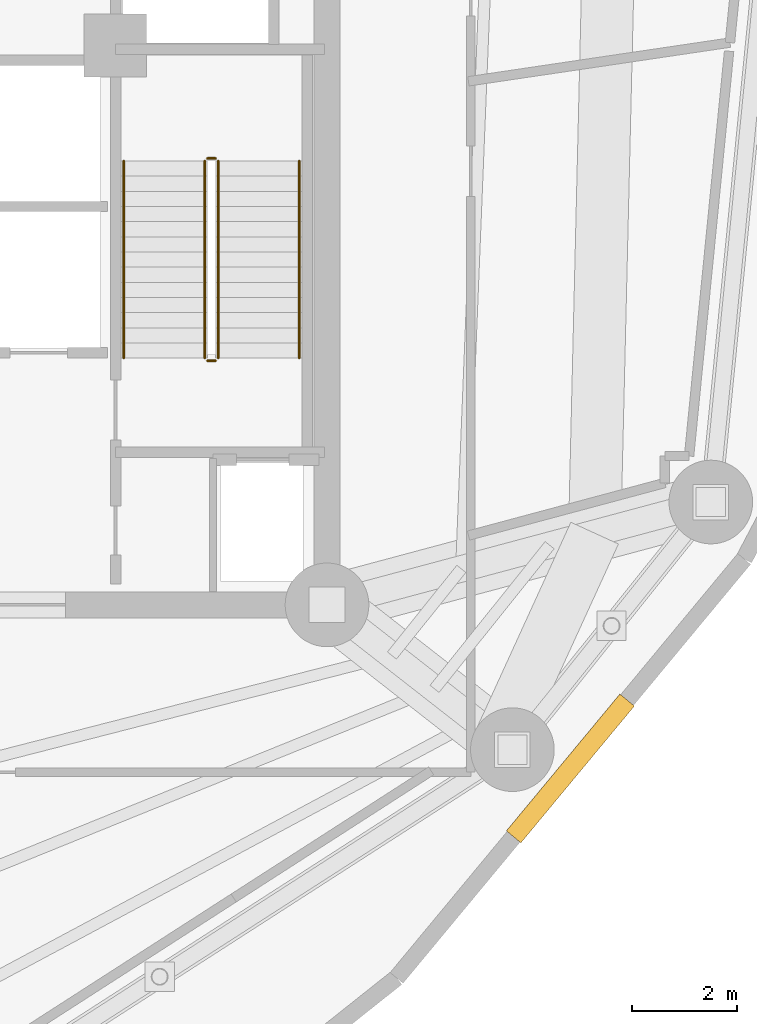
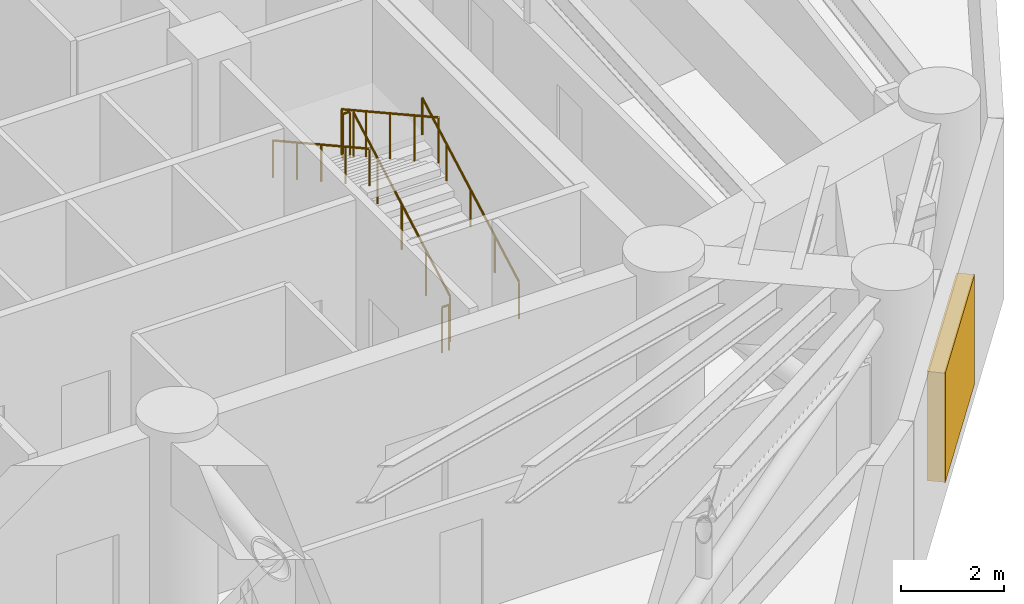
# One storey, part 12 of 13: 6 railings, 1 shading device.
"""IFC4 building model written with IfcOpenShell, lengths in metres."""

from ifc_helpers import new_model, si_unit, direction, frame, origin, origin_with_axes, origin_2d, place, context, subcontext, project, spatial, rectangle, circle, extrude, source, transform, mapped, material, layer, layer_set, type_object, element, save


model = new_model("IFC4")

# Units and contexts
model_context = context("Model", 3, precision=1e-05, world=origin(), true_north=direction((0.0, 1.0)))
body_context = subcontext(model_context, "Body", "Model", "MODEL_VIEW")
ifc_project = project(units=[si_unit("LENGTHUNIT", "METRE"), si_unit("AREAUNIT", "SQUARE_METRE"), si_unit("VOLUMEUNIT", "CUBIC_METRE"), si_unit("PLANEANGLEUNIT", "RADIAN"), si_unit("MASSUNIT", "GRAM", prefix="KILO")], contexts=[model_context])

# Site, building, storey
site_placement = place(None, origin())
site = spatial("IfcSite", under=ifc_project, at=site_placement, CompositionType="ELEMENT")
building_placement = place(site_placement, origin())
building = spatial("IfcBuilding", under=site, at=building_placement, Name="Karkom Vertical University and Central Library", CompositionType="ELEMENT")
storey_placement = place(building_placement, frame((0.0, 0.0, 87.699951171875)))
storey = spatial("IfcBuildingStorey", under=building, at=storey_placement, Name="P23", CompositionType="ELEMENT", Elevation=87.699951171875)

# Railings
ifc_material_1 = material(Name="Painted galvanised steel balustrade", Category="steel")
ifc_layer_1 = layer(ifc_material_1, 0.06005859375)
ifc_layer_set_1 = layer_set([ifc_layer_1], Name="Painted galvanised steel balustrade")
railing_type_1 = type_object("IfcRailingType", Name="INT-RL-GUARD1100", PredefinedType="GUARDRAIL", material=ifc_layer_set_1)
railing_1_placement = place(storey_placement, frame((35.419921875, 23.02001953125, 0.16064453125)))
element("IfcRailing", 1, at=railing_1_placement, inside=storey, type_object=railing_type_1, Name="Plant Level 23 ST-2 stair guard 1", PredefinedType="GUARDRAIL", context=body_context, shape_type="SweptSolid", body=[
    extrude(circle(Radius=0.02392578125, at=origin_2d()), frame((0.0, 0.0, 1.076171875), z_axis=(0.0, 0.874659101714, 0.484738543742), x_axis=(-1.0, 0.0, 0.0)), (0.0, 0.0, 1.0), 4.310302734375),
    extrude(circle(Radius=0.02099609375, at=origin_2d()), origin(), (0.0, 0.0, 1.0), 1.052001953125),
    extrude(circle(Radius=0.02099609375, at=origin_2d()), frame((0.0, 0.9423828125, 0.5224609375)), (0.0, 0.0, 1.0), 1.052001953125),
    extrude(circle(Radius=0.02099609375, at=origin_2d()), frame((0.0, 1.885009765625, 1.044677734375)), (0.0, 0.0, 1.0), 1.052001953125),
    extrude(circle(Radius=0.02099609375, at=origin_2d()), frame((0.0, 2.82763671875, 1.56689453125)), (0.0, 0.0, 1.0), 1.052001953125),
    extrude(circle(Radius=0.02099609375, at=origin_2d()), frame((0.0, 3.77001953125, 2.08935546875)), (0.0, 0.0, 1.0), 1.052001953125),
])
railing_2_placement = place(storey_placement, frame((35.3701171875, 26.840087890625, 2.25)))
element("IfcRailing", 2, at=railing_2_placement, inside=storey, type_object=railing_type_1, Name="Plant Level 23 ST-2 stair guard 2", PredefinedType="GUARDRAIL", context=body_context, shape_type="SweptSolid", body=[
    extrude(circle(Radius=0.02392578125, at=origin_2d()), frame((0.0, 0.0, 1.076171875), z_axis=(-1.0, 0.0, 0.0), x_axis=(0.0, -1.0, 0.0)), (0.0, 0.0, 1.0), 0.16015625),
    extrude(circle(Radius=0.02099609375, at=origin_2d()), origin(), (0.0, 0.0, 1.0), 1.052001953125),
    extrude(circle(Radius=0.02099609375, at=origin_2d()), frame((-0.16015625, 0.0, 0.0)), (0.0, 0.0, 1.0), 1.052001953125),
])
railing_3_placement = place(storey_placement, frame((35.159912109375, 26.7900390625, 2.41064453125)))
element("IfcRailing", 3, at=railing_3_placement, inside=storey, type_object=railing_type_1, Name="Plant Level 23 ST-2 stair guard 3", PredefinedType="GUARDRAIL", context=body_context, shape_type="SweptSolid", body=[
    extrude(circle(Radius=0.02392578125, at=origin_2d()), frame((0.0, 0.0, 1.076171875), z_axis=(0.0, -0.874659101714, 0.484738543742), x_axis=(1.0, 0.0, 0.0)), (0.0, 0.0, 1.0), 4.310302734375),
    extrude(circle(Radius=0.02099609375, at=origin_2d()), origin(), (0.0, 0.0, 1.0), 1.052001953125),
    extrude(circle(Radius=0.02099609375, at=origin_2d()), frame((0.0, -0.9423828125, 0.5224609375)), (0.0, 0.0, 1.0), 1.052001953125),
    extrude(circle(Radius=0.02099609375, at=origin_2d()), frame((0.0, -1.885009765625, 1.044677734375)), (0.0, 0.0, 1.0), 1.052001953125),
    extrude(circle(Radius=0.02099609375, at=origin_2d()), frame((0.0, -2.82763671875, 1.56689453125)), (0.0, 0.0, 1.0), 1.052001953125),
    extrude(circle(Radius=0.02099609375, at=origin_2d()), frame((0.0, -3.77001953125, 2.08935546875)), (0.0, 0.0, 1.0), 1.052001953125),
])
railing_4_placement = place(storey_placement, frame((35.3701171875, 22.969970703125, 0.0)))
element("IfcRailing", 4, at=railing_4_placement, inside=storey, type_object=railing_type_1, Name="Plant Level 23 ST-2 stair guard 4", PredefinedType="GUARDRAIL", context=body_context, shape_type="SweptSolid", body=[
    extrude(circle(Radius=0.02392578125, at=origin_2d()), frame((0.0, 0.0, 1.076171875), z_axis=(-1.0, 0.0, 0.0), x_axis=(0.0, -1.0, 0.0)), (0.0, 0.0, 1.0), 0.16015625),
    extrude(circle(Radius=0.02099609375, at=origin_2d()), origin(), (0.0, 0.0, 1.0), 1.052001953125),
    extrude(circle(Radius=0.02099609375, at=origin_2d()), frame((-0.16015625, 0.0, 0.0)), (0.0, 0.0, 1.0), 1.052001953125),
])
ifc_material_2 = material(Name="Brushed stainless-steel tubular handrail", Category="steel")
ifc_layer_2 = layer(ifc_material_2, 0.048095703125)
ifc_layer_set_2 = layer_set([ifc_layer_2], Name="Brushed stainless-steel tubular handrail")
railing_type_2 = type_object("IfcRailingType", Name="INT-RL-HAND920", PredefinedType="HANDRAIL", material=ifc_layer_set_2)
railing_5_placement = place(storey_placement, frame((36.969970703125, 23.02001953125, 0.16064453125)))
element("IfcRailing", 5, at=railing_5_placement, inside=storey, type_object=railing_type_2, Name="Plant Level 23 ST-2 stair handrail 1", PredefinedType="HANDRAIL", context=body_context, shape_type="SweptSolid", body=[
    extrude(circle(Radius=0.02392578125, at=origin_2d()), frame((0.0, 0.0, 0.8759765625), z_axis=(0.0, 0.874659101714, 0.484738543742), x_axis=(-1.0, 0.0, 0.0)), (0.0, 0.0, 1.0), 4.310302734375),
    extrude(circle(Radius=0.02099609375, at=origin_2d()), origin(), (0.0, 0.0, 1.0), 0.851806640625),
    extrude(circle(Radius=0.02099609375, at=origin_2d()), frame((0.0, 0.9423828125, 0.5224609375)), (0.0, 0.0, 1.0), 0.851806640625),
    extrude(circle(Radius=0.02099609375, at=origin_2d()), frame((0.0, 1.885009765625, 1.044677734375)), (0.0, 0.0, 1.0), 0.851806640625),
    extrude(circle(Radius=0.02099609375, at=origin_2d()), frame((0.0, 2.82763671875, 1.56689453125)), (0.0, 0.0, 1.0), 0.851806640625),
    extrude(circle(Radius=0.02099609375, at=origin_2d()), frame((0.0, 3.77001953125, 2.08935546875)), (0.0, 0.0, 1.0), 0.851806640625),
])
railing_6_placement = place(storey_placement, frame((33.610107421875, 26.7900390625, 2.41064453125)))
element("IfcRailing", 6, at=railing_6_placement, inside=storey, type_object=railing_type_2, Name="Plant Level 23 ST-2 stair handrail 2", PredefinedType="HANDRAIL", context=body_context, shape_type="SweptSolid", body=[
    extrude(circle(Radius=0.02392578125, at=origin_2d()), frame((0.0, 0.0, 0.8759765625), z_axis=(0.0, -0.874659101714, 0.484738543742), x_axis=(1.0, 0.0, 0.0)), (0.0, 0.0, 1.0), 4.310302734375),
    extrude(circle(Radius=0.02099609375, at=origin_2d()), origin(), (0.0, 0.0, 1.0), 0.851806640625),
    extrude(circle(Radius=0.02099609375, at=origin_2d()), frame((0.0, -0.9423828125, 0.5224609375)), (0.0, 0.0, 1.0), 0.851806640625),
    extrude(circle(Radius=0.02099609375, at=origin_2d()), frame((0.0, -1.885009765625, 1.044677734375)), (0.0, 0.0, 1.0), 0.851806640625),
    extrude(circle(Radius=0.02099609375, at=origin_2d()), frame((0.0, -2.82763671875, 1.56689453125)), (0.0, 0.0, 1.0), 0.851806640625),
    extrude(circle(Radius=0.02099609375, at=origin_2d()), frame((0.0, -3.77001953125, 2.08935546875)), (0.0, 0.0, 1.0), 0.851806640625),
])

# Shading device
ifc_material_3 = material(Name="Powder-coated aluminium acoustic weather louvre", Category="aluminium")
ifc_layer_3 = layer(ifc_material_3, 0.159912109375)
ifc_layer_set_3 = layer_set([ifc_layer_3], Name="Powder-coated aluminium acoustic weather louvre")
shading_device_type = type_object("IfcShadingDeviceType", Name="ENV-SHD-LOUVRE", PredefinedType="JALOUSIE", material=ifc_layer_set_3)
shared_shape = source(origin_with_axes(), body_context, "Body", "SweptSolid", [
    extrude(rectangle(XDim=3.39990234375, YDim=0.360107421875, at=origin_2d()), origin(), (0.0, 0.0, 1.0), 2.60009765625),
])
shading_device_placement = place(storey_placement, frame((42.1552734375, 15.171142578125, 0.39990234375), z_axis=(0.0, 0.0, 1.0), x_axis=(0.638499207495, 0.769622480199, 0.0)))
element("IfcShadingDevice", 7, at=shading_device_placement, inside=storey, type_object=shading_device_type, Name="Plant Level 23 Mechanical Acoustic Louvre 07", PredefinedType="JALOUSIE", context=body_context, shape_type="MappedRepresentation", body=[
    mapped(shared_shape, transform((0.0, 0.0, 0.0), scale=1.0)),
])

save(model, "model.ifc")
